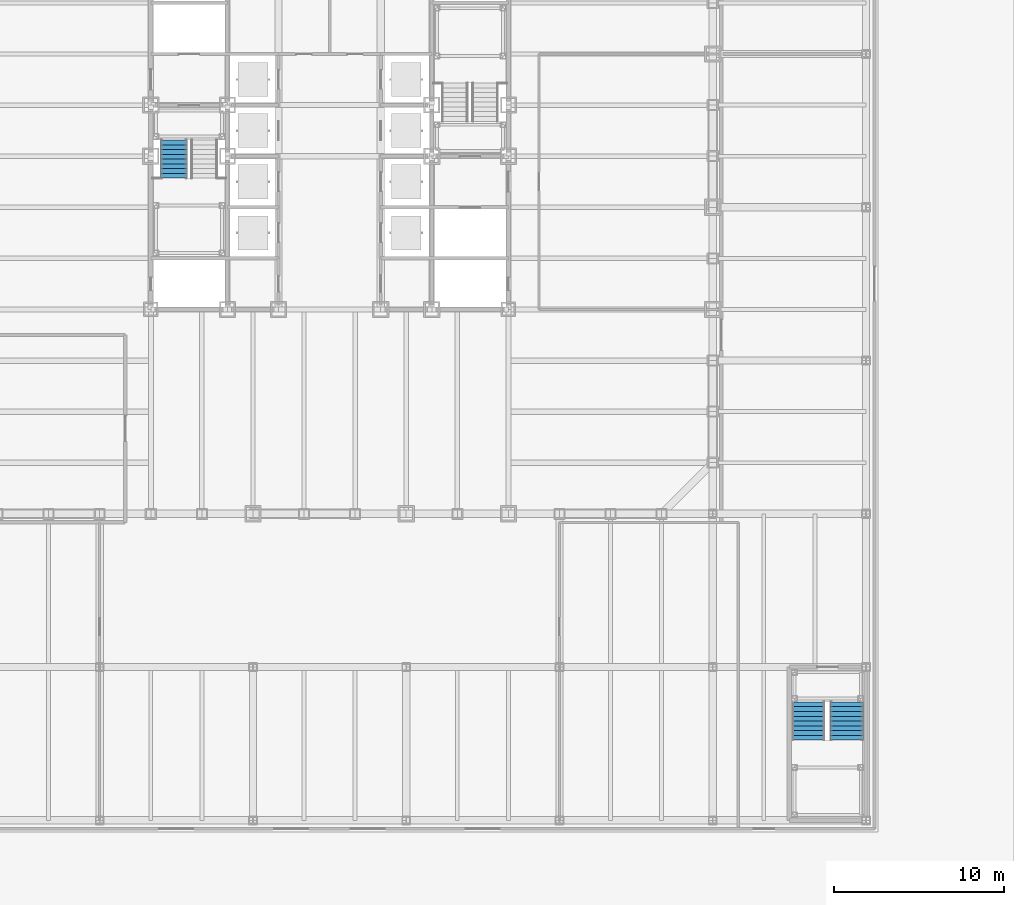
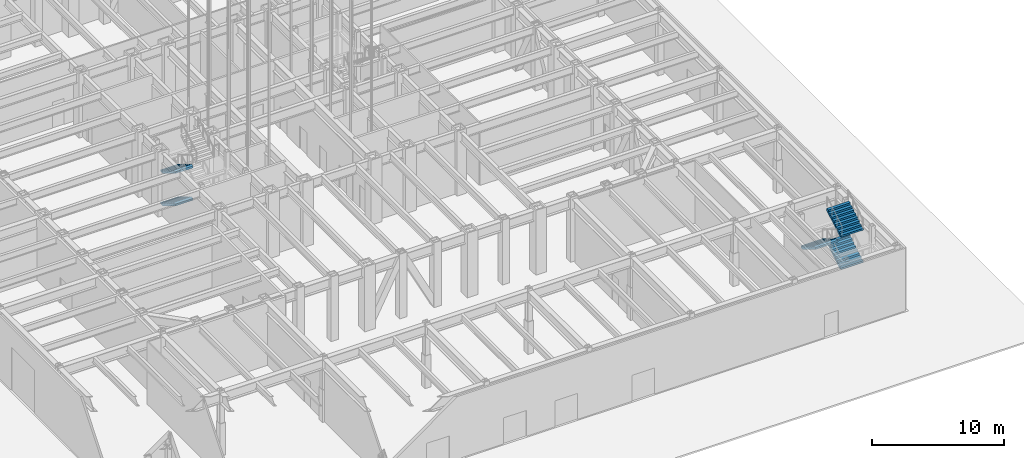
# One storey, part 12 of 35: 5 stair flights, 2 elements without a shape of their own.
"""IFC4 building model written with IfcOpenShell, lengths in metres."""

from ifc_helpers import new_model, si_unit, direction, frame, origin, place, context, subcontext, project, spatial, faceted_brep, material, type_object, element, aggregate, save


model = new_model("IFC4")

# Units and contexts
model_context = context("Model", 3, precision=1e-05, world=origin(), true_north=direction((0.0, 1.0)))
body_context = subcontext(model_context, "Body", "Model", "MODEL_VIEW")
ifc_project = project(units=[si_unit("LENGTHUNIT", "METRE"), si_unit("AREAUNIT", "SQUARE_METRE"), si_unit("VOLUMEUNIT", "CUBIC_METRE"), si_unit("PLANEANGLEUNIT", "RADIAN"), si_unit("MASSUNIT", "GRAM", prefix="KILO")], contexts=[model_context])

# Site, building, storey
site_placement = place(None, origin())
site = spatial("IfcSite", under=ifc_project, at=site_placement, CompositionType="ELEMENT")
building_placement = place(site_placement, origin())
building = spatial("IfcBuilding", under=site, at=building_placement, Name="Chuquiago Exchange Tower", CompositionType="ELEMENT")
storey_placement = place(building_placement, origin())
storey = spatial("IfcBuildingStorey", under=building, at=storey_placement, Name="L00", CompositionType="ELEMENT", Elevation=0.0)

# Stair, stair flights
ifc_material_1 = material(Name="Concrete C30/37, precast", Category="concrete")
stair_type_1 = type_object("IfcStairType", Name="ST1 double half-turn stair 6000", PredefinedType="DOUBLE_RETURN_STAIR", material=ifc_material_1)
stair_1_placement = place(storey_placement, origin())
stair_1 = element("IfcStair", 1, at=stair_1_placement, inside=storey, type_object=stair_type_1, Name="Stair ST1 L00", PredefinedType="DOUBLE_RETURN_STAIR")
ifc_material_2 = material(Name="Concrete C30/37, precast", Category="concrete")
stair_flight_type_1 = type_object("IfcStairFlightType", Name="ST-F flight 1570 for 6000 storey", PredefinedType="STRAIGHT", material=ifc_material_2)
stair_flight_1_placement = place(storey_placement, frame((13.360107421875, 21.949951171875, 0.0), z_axis=(0.0, 0.0, 1.0), x_axis=(0.0, -1.0, 0.0)))
stair_flight_1 = element("IfcStairFlight", 2, at=stair_flight_1_placement, type_object=stair_flight_type_1, Name="ST1 flight 1", NumberOfRisers=9, NumberOfTreads=8, PredefinedType="STRAIGHT", RiserHeight=0.166666667, TreadLength=0.28, context=body_context, shape_type="Brep", body=[
    faceted_brep([(0.0, 0.78515625, 0.0), (0.0, 0.78515625, 0.166748046875), (0.280029296875, 0.78515625, 0.166748046875), (0.280029296875, 0.78515625, 0.333251953125), (0.56005859375, 0.78515625, 0.333251953125), (0.56005859375, 0.78515625, 0.5), (0.840087890625, 0.78515625, 0.5), (0.840087890625, 0.78515625, 0.666748046875), (1.1201171875, 0.78515625, 0.666748046875), (1.1201171875, 0.78515625, 0.833251953125), (1.39990234375, 0.78515625, 0.833251953125), (1.39990234375, 0.78515625, 1.0), (1.679931640625, 0.78515625, 1.0), (1.679931640625, 0.78515625, 1.166748046875), (1.9599609375, 0.78515625, 1.166748046875), (1.9599609375, 0.78515625, 1.333251953125), (2.239990234375, 0.78515625, 1.333251953125), (2.239990234375, 0.78515625, 1.158935546875), (0.29296875, 0.78515625, 0.0), (0.29296875, -0.78515625, 0.0), (2.239990234375, -0.78515625, 1.158935546875), (2.239990234375, -0.78515625, 1.333251953125), (1.9599609375, -0.78515625, 1.333251953125), (1.9599609375, -0.78515625, 1.166748046875), (1.679931640625, -0.78515625, 1.166748046875), (1.679931640625, -0.78515625, 1.0), (1.39990234375, -0.78515625, 1.0), (1.39990234375, -0.78515625, 0.833251953125), (1.1201171875, -0.78515625, 0.833251953125), (1.1201171875, -0.78515625, 0.666748046875), (0.840087890625, -0.78515625, 0.666748046875), (0.840087890625, -0.78515625, 0.5), (0.56005859375, -0.78515625, 0.5), (0.56005859375, -0.78515625, 0.333251953125), (0.280029296875, -0.78515625, 0.333251953125), (0.280029296875, -0.78515625, 0.166748046875), (0.0, -0.78515625, 0.166748046875), (0.0, -0.78515625, 0.0), (0.0, 0.392578125, 0.0), (0.0, 0.392578125, 0.166748046875), (0.0, 0.0, 0.0), (0.0, 0.0, 0.166748046875), (0.0, -0.392578125, 0.0), (0.0, -0.392578125, 0.166748046875), (0.280029296875, 0.392578125, 0.166748046875), (0.280029296875, 0.0, 0.166748046875), (0.280029296875, -0.392578125, 0.166748046875), (0.280029296875, 0.392578125, 0.333251953125), (0.280029296875, 0.0, 0.333251953125), (0.280029296875, -0.392578125, 0.333251953125), (0.56005859375, 0.392578125, 0.333251953125), (0.56005859375, 0.0, 0.333251953125), (0.56005859375, -0.392578125, 0.333251953125), (0.56005859375, 0.392578125, 0.5), (0.56005859375, 0.0, 0.5), (0.56005859375, -0.392578125, 0.5), (0.840087890625, 0.392578125, 0.5), (0.840087890625, 0.0, 0.5), (0.840087890625, -0.392578125, 0.5), (0.840087890625, 0.392578125, 0.666748046875), (0.840087890625, 0.0, 0.666748046875), (0.840087890625, -0.392578125, 0.666748046875), (1.1201171875, 0.392578125, 0.666748046875), (1.1201171875, 0.0, 0.666748046875), (1.1201171875, -0.392578125, 0.666748046875), (1.1201171875, 0.392578125, 0.833251953125), (1.1201171875, 0.0, 0.833251953125), (1.1201171875, -0.392578125, 0.833251953125), (1.39990234375, 0.392578125, 0.833251953125), (1.39990234375, 0.0, 0.833251953125), (1.39990234375, -0.392578125, 0.833251953125), (1.39990234375, 0.392578125, 1.0), (1.39990234375, 0.0, 1.0), (1.39990234375, -0.392578125, 1.0), (1.679931640625, 0.392578125, 1.0), (1.679931640625, 0.0, 1.0), (1.679931640625, -0.392578125, 1.0), (1.679931640625, 0.392578125, 1.166748046875), (1.679931640625, 0.0, 1.166748046875), (1.679931640625, -0.392578125, 1.166748046875), (1.9599609375, 0.392578125, 1.166748046875), (1.9599609375, 0.0, 1.166748046875), (1.9599609375, -0.392578125, 1.166748046875), (1.9599609375, 0.392578125, 1.333251953125), (1.9599609375, 0.0, 1.333251953125), (1.9599609375, -0.392578125, 1.333251953125), (2.239990234375, 0.392578125, 1.333251953125), (2.239990234375, 0.0, 1.333251953125), (2.239990234375, -0.392578125, 1.333251953125), (2.239990234375, 0.392578125, 1.158935546875), (2.239990234375, 0.0, 1.158935546875), (2.239990234375, -0.392578125, 1.158935546875), (0.29296875, 0.392578125, 0.0), (0.29296875, 0.0, 0.0), (0.29296875, -0.392578125, 0.0)], [[[0, 1, 2, 3, 4, 5, 6, 7, 8, 9, 10, 11, 12, 13, 14, 15, 16, 17, 18]], [[19, 20, 21, 22, 23, 24, 25, 26, 27, 28, 29, 30, 31, 32, 33, 34, 35, 36, 37]], [[1, 0, 38, 39]], [[39, 38, 40, 41]], [[41, 40, 42, 43]], [[43, 42, 37, 36]], [[2, 1, 39, 44]], [[44, 39, 41, 45]], [[45, 41, 43, 46]], [[46, 43, 36, 35]], [[3, 2, 44, 47]], [[47, 44, 45, 48]], [[48, 45, 46, 49]], [[49, 46, 35, 34]], [[4, 3, 47, 50]], [[50, 47, 48, 51]], [[51, 48, 49, 52]], [[52, 49, 34, 33]], [[5, 4, 50, 53]], [[53, 50, 51, 54]], [[54, 51, 52, 55]], [[55, 52, 33, 32]], [[6, 5, 53, 56]], [[56, 53, 54, 57]], [[57, 54, 55, 58]], [[58, 55, 32, 31]], [[7, 6, 56, 59]], [[59, 56, 57, 60]], [[60, 57, 58, 61]], [[61, 58, 31, 30]], [[8, 7, 59, 62]], [[62, 59, 60, 63]], [[63, 60, 61, 64]], [[64, 61, 30, 29]], [[9, 8, 62, 65]], [[65, 62, 63, 66]], [[66, 63, 64, 67]], [[67, 64, 29, 28]], [[10, 9, 65, 68]], [[68, 65, 66, 69]], [[69, 66, 67, 70]], [[70, 67, 28, 27]], [[11, 10, 68, 71]], [[71, 68, 69, 72]], [[72, 69, 70, 73]], [[73, 70, 27, 26]], [[12, 11, 71, 74]], [[74, 71, 72, 75]], [[75, 72, 73, 76]], [[76, 73, 26, 25]], [[13, 12, 74, 77]], [[77, 74, 75, 78]], [[78, 75, 76, 79]], [[79, 76, 25, 24]], [[14, 13, 77, 80]], [[80, 77, 78, 81]], [[81, 78, 79, 82]], [[82, 79, 24, 23]], [[15, 14, 80, 83]], [[83, 80, 81, 84]], [[84, 81, 82, 85]], [[85, 82, 23, 22]], [[16, 15, 83, 86]], [[86, 83, 84, 87]], [[87, 84, 85, 88]], [[88, 85, 22, 21]], [[17, 16, 86, 89]], [[89, 86, 87, 90]], [[90, 87, 88, 91]], [[91, 88, 21, 20]], [[18, 17, 89, 92]], [[92, 89, 90, 93]], [[93, 90, 91, 94]], [[94, 91, 20, 19]], [[0, 18, 92, 38]], [[38, 92, 93, 40]], [[40, 93, 94, 42]], [[42, 94, 19, 37]]]),
])
stair_flight_2_placement = place(storey_placement, frame((13.360107421875, 21.949951171875, 3.0), z_axis=(0.0, 0.0, 1.0), x_axis=(0.0, -1.0, 0.0)))
stair_flight_2 = element("IfcStairFlight", 3, at=stair_flight_2_placement, type_object=stair_flight_type_1, Name="ST1 flight 3", NumberOfRisers=9, NumberOfTreads=8, PredefinedType="STRAIGHT", RiserHeight=0.166666667, TreadLength=0.28, context=body_context, shape_type="Brep", body=[
    faceted_brep([(0.0, 0.78515625, 0.0), (0.0, 0.78515625, 0.166748046875), (0.280029296875, 0.78515625, 0.166748046875), (0.280029296875, 0.78515625, 0.333251953125), (0.56005859375, 0.78515625, 0.333251953125), (0.56005859375, 0.78515625, 0.5), (0.840087890625, 0.78515625, 0.5), (0.840087890625, 0.78515625, 0.666748046875), (1.1201171875, 0.78515625, 0.666748046875), (1.1201171875, 0.78515625, 0.833251953125), (1.39990234375, 0.78515625, 0.833251953125), (1.39990234375, 0.78515625, 1.0), (1.679931640625, 0.78515625, 1.0), (1.679931640625, 0.78515625, 1.166748046875), (1.9599609375, 0.78515625, 1.166748046875), (1.9599609375, 0.78515625, 1.333251953125), (2.239990234375, 0.78515625, 1.333251953125), (2.239990234375, 0.78515625, 1.158935546875), (0.29296875, 0.78515625, 0.0), (0.29296875, -0.78515625, 0.0), (2.239990234375, -0.78515625, 1.158935546875), (2.239990234375, -0.78515625, 1.333251953125), (1.9599609375, -0.78515625, 1.333251953125), (1.9599609375, -0.78515625, 1.166748046875), (1.679931640625, -0.78515625, 1.166748046875), (1.679931640625, -0.78515625, 1.0), (1.39990234375, -0.78515625, 1.0), (1.39990234375, -0.78515625, 0.833251953125), (1.1201171875, -0.78515625, 0.833251953125), (1.1201171875, -0.78515625, 0.666748046875), (0.840087890625, -0.78515625, 0.666748046875), (0.840087890625, -0.78515625, 0.5), (0.56005859375, -0.78515625, 0.5), (0.56005859375, -0.78515625, 0.333251953125), (0.280029296875, -0.78515625, 0.333251953125), (0.280029296875, -0.78515625, 0.166748046875), (0.0, -0.78515625, 0.166748046875), (0.0, -0.78515625, 0.0), (0.0, 0.392578125, 0.0), (0.0, 0.392578125, 0.166748046875), (0.0, 0.0, 0.0), (0.0, 0.0, 0.166748046875), (0.0, -0.392578125, 0.0), (0.0, -0.392578125, 0.166748046875), (0.280029296875, 0.392578125, 0.166748046875), (0.280029296875, 0.0, 0.166748046875), (0.280029296875, -0.392578125, 0.166748046875), (0.280029296875, 0.392578125, 0.333251953125), (0.280029296875, 0.0, 0.333251953125), (0.280029296875, -0.392578125, 0.333251953125), (0.56005859375, 0.392578125, 0.333251953125), (0.56005859375, 0.0, 0.333251953125), (0.56005859375, -0.392578125, 0.333251953125), (0.56005859375, 0.392578125, 0.5), (0.56005859375, 0.0, 0.5), (0.56005859375, -0.392578125, 0.5), (0.840087890625, 0.392578125, 0.5), (0.840087890625, 0.0, 0.5), (0.840087890625, -0.392578125, 0.5), (0.840087890625, 0.392578125, 0.666748046875), (0.840087890625, 0.0, 0.666748046875), (0.840087890625, -0.392578125, 0.666748046875), (1.1201171875, 0.392578125, 0.666748046875), (1.1201171875, 0.0, 0.666748046875), (1.1201171875, -0.392578125, 0.666748046875), (1.1201171875, 0.392578125, 0.833251953125), (1.1201171875, 0.0, 0.833251953125), (1.1201171875, -0.392578125, 0.833251953125), (1.39990234375, 0.392578125, 0.833251953125), (1.39990234375, 0.0, 0.833251953125), (1.39990234375, -0.392578125, 0.833251953125), (1.39990234375, 0.392578125, 1.0), (1.39990234375, 0.0, 1.0), (1.39990234375, -0.392578125, 1.0), (1.679931640625, 0.392578125, 1.0), (1.679931640625, 0.0, 1.0), (1.679931640625, -0.392578125, 1.0), (1.679931640625, 0.392578125, 1.166748046875), (1.679931640625, 0.0, 1.166748046875), (1.679931640625, -0.392578125, 1.166748046875), (1.9599609375, 0.392578125, 1.166748046875), (1.9599609375, 0.0, 1.166748046875), (1.9599609375, -0.392578125, 1.166748046875), (1.9599609375, 0.392578125, 1.333251953125), (1.9599609375, 0.0, 1.333251953125), (1.9599609375, -0.392578125, 1.333251953125), (2.239990234375, 0.392578125, 1.333251953125), (2.239990234375, 0.0, 1.333251953125), (2.239990234375, -0.392578125, 1.333251953125), (2.239990234375, 0.392578125, 1.158935546875), (2.239990234375, 0.0, 1.158935546875), (2.239990234375, -0.392578125, 1.158935546875), (0.29296875, 0.392578125, 0.0), (0.29296875, 0.0, 0.0), (0.29296875, -0.392578125, 0.0)], [[[0, 1, 2, 3, 4, 5, 6, 7, 8, 9, 10, 11, 12, 13, 14, 15, 16, 17, 18]], [[19, 20, 21, 22, 23, 24, 25, 26, 27, 28, 29, 30, 31, 32, 33, 34, 35, 36, 37]], [[1, 0, 38, 39]], [[39, 38, 40, 41]], [[41, 40, 42, 43]], [[43, 42, 37, 36]], [[2, 1, 39, 44]], [[44, 39, 41, 45]], [[45, 41, 43, 46]], [[46, 43, 36, 35]], [[3, 2, 44, 47]], [[47, 44, 45, 48]], [[48, 45, 46, 49]], [[49, 46, 35, 34]], [[4, 3, 47, 50]], [[50, 47, 48, 51]], [[51, 48, 49, 52]], [[52, 49, 34, 33]], [[5, 4, 50, 53]], [[53, 50, 51, 54]], [[54, 51, 52, 55]], [[55, 52, 33, 32]], [[6, 5, 53, 56]], [[56, 53, 54, 57]], [[57, 54, 55, 58]], [[58, 55, 32, 31]], [[7, 6, 56, 59]], [[59, 56, 57, 60]], [[60, 57, 58, 61]], [[61, 58, 31, 30]], [[8, 7, 59, 62]], [[62, 59, 60, 63]], [[63, 60, 61, 64]], [[64, 61, 30, 29]], [[9, 8, 62, 65]], [[65, 62, 63, 66]], [[66, 63, 64, 67]], [[67, 64, 29, 28]], [[10, 9, 65, 68]], [[68, 65, 66, 69]], [[69, 66, 67, 70]], [[70, 67, 28, 27]], [[11, 10, 68, 71]], [[71, 68, 69, 72]], [[72, 69, 70, 73]], [[73, 70, 27, 26]], [[12, 11, 71, 74]], [[74, 71, 72, 75]], [[75, 72, 73, 76]], [[76, 73, 26, 25]], [[13, 12, 74, 77]], [[77, 74, 75, 78]], [[78, 75, 76, 79]], [[79, 76, 25, 24]], [[14, 13, 77, 80]], [[80, 77, 78, 81]], [[81, 78, 79, 82]], [[82, 79, 24, 23]], [[15, 14, 80, 83]], [[83, 80, 81, 84]], [[84, 81, 82, 85]], [[85, 82, 23, 22]], [[16, 15, 83, 86]], [[86, 83, 84, 87]], [[87, 84, 85, 88]], [[88, 85, 22, 21]], [[17, 16, 86, 89]], [[89, 86, 87, 90]], [[90, 87, 88, 91]], [[91, 88, 21, 20]], [[18, 17, 89, 92]], [[92, 89, 90, 93]], [[93, 90, 91, 94]], [[94, 91, 20, 19]], [[0, 18, 92, 38]], [[38, 92, 93, 40]], [[40, 93, 94, 42]], [[42, 94, 19, 37]]]),
])
aggregate(stair_1, [stair_flight_1, stair_flight_2])

ifc_material_3 = material(Name="Concrete C30/37, precast", Category="concrete")
stair_type_2 = type_object("IfcStairType", Name="PS2 double half-turn stair 6000", PredefinedType="DOUBLE_RETURN_STAIR", material=ifc_material_3)
stair_2_placement = place(storey_placement, origin())
stair_2 = element("IfcStair", 4, at=stair_2_placement, inside=storey, type_object=stair_type_2, Name="Stair PS2 L00", PredefinedType="DOUBLE_RETURN_STAIR")
ifc_material_4 = material(Name="Concrete C30/37, precast", Category="concrete")
stair_flight_type_2 = type_object("IfcStairFlightType", Name="ST-F flight 1950 for 6000 storey", PredefinedType="STRAIGHT", material=ifc_material_4)
stair_flight_3_placement = place(storey_placement, frame((52.875, -13.2900390625, 1.5), z_axis=(0.0, 0.0, 1.0), x_axis=(0.0, 1.0, 0.0)))
stair_flight_3 = element("IfcStairFlight", 5, at=stair_flight_3_placement, type_object=stair_flight_type_2, Name="PS2 flight 2", NumberOfRisers=9, NumberOfTreads=8, PredefinedType="STRAIGHT", RiserHeight=0.166666667, TreadLength=0.28, context=body_context, shape_type="Brep", body=[
    faceted_brep([(0.0, 0.97509765625, 0.0), (0.0, 0.97509765625, 0.166748046875), (0.280029296875, 0.97509765625, 0.166748046875), (0.280029296875, 0.97509765625, 0.333251953125), (0.56005859375, 0.97509765625, 0.333251953125), (0.56005859375, 0.97509765625, 0.5), (0.840087890625, 0.97509765625, 0.5), (0.840087890625, 0.97509765625, 0.666748046875), (1.1201171875, 0.97509765625, 0.666748046875), (1.1201171875, 0.97509765625, 0.833251953125), (1.39990234375, 0.97509765625, 0.833251953125), (1.39990234375, 0.97509765625, 1.0), (1.679931640625, 0.97509765625, 1.0), (1.679931640625, 0.97509765625, 1.166748046875), (1.9599609375, 0.97509765625, 1.166748046875), (1.9599609375, 0.97509765625, 1.333251953125), (2.239990234375, 0.97509765625, 1.333251953125), (2.239990234375, 0.97509765625, 1.158935546875), (0.29296875, 0.97509765625, 0.0), (0.29296875, -0.97509765625, 0.0), (2.239990234375, -0.97509765625, 1.158935546875), (2.239990234375, -0.97509765625, 1.333251953125), (1.9599609375, -0.97509765625, 1.333251953125), (1.9599609375, -0.97509765625, 1.166748046875), (1.679931640625, -0.97509765625, 1.166748046875), (1.679931640625, -0.97509765625, 1.0), (1.39990234375, -0.97509765625, 1.0), (1.39990234375, -0.97509765625, 0.833251953125), (1.1201171875, -0.97509765625, 0.833251953125), (1.1201171875, -0.97509765625, 0.666748046875), (0.840087890625, -0.97509765625, 0.666748046875), (0.840087890625, -0.97509765625, 0.5), (0.56005859375, -0.97509765625, 0.5), (0.56005859375, -0.97509765625, 0.333251953125), (0.280029296875, -0.97509765625, 0.333251953125), (0.280029296875, -0.97509765625, 0.166748046875), (0.0, -0.97509765625, 0.166748046875), (0.0, -0.97509765625, 0.0), (0.0, 0.487548828125, 0.0), (0.0, 0.487548828125, 0.166748046875), (0.0, 0.0, 0.0), (0.0, 0.0, 0.166748046875), (0.0, -0.487548828125, 0.0), (0.0, -0.487548828125, 0.166748046875), (0.280029296875, 0.487548828125, 0.166748046875), (0.280029296875, 0.0, 0.166748046875), (0.280029296875, -0.487548828125, 0.166748046875), (0.280029296875, 0.487548828125, 0.333251953125), (0.280029296875, 0.0, 0.333251953125), (0.280029296875, -0.487548828125, 0.333251953125), (0.56005859375, 0.487548828125, 0.333251953125), (0.56005859375, 0.0, 0.333251953125), (0.56005859375, -0.487548828125, 0.333251953125), (0.56005859375, 0.487548828125, 0.5), (0.56005859375, 0.0, 0.5), (0.56005859375, -0.487548828125, 0.5), (0.840087890625, 0.487548828125, 0.5), (0.840087890625, 0.0, 0.5), (0.840087890625, -0.487548828125, 0.5), (0.840087890625, 0.487548828125, 0.666748046875), (0.840087890625, 0.0, 0.666748046875), (0.840087890625, -0.487548828125, 0.666748046875), (1.1201171875, 0.487548828125, 0.666748046875), (1.1201171875, 0.0, 0.666748046875), (1.1201171875, -0.487548828125, 0.666748046875), (1.1201171875, 0.487548828125, 0.833251953125), (1.1201171875, 0.0, 0.833251953125), (1.1201171875, -0.487548828125, 0.833251953125), (1.39990234375, 0.487548828125, 0.833251953125), (1.39990234375, 0.0, 0.833251953125), (1.39990234375, -0.487548828125, 0.833251953125), (1.39990234375, 0.487548828125, 1.0), (1.39990234375, 0.0, 1.0), (1.39990234375, -0.487548828125, 1.0), (1.679931640625, 0.487548828125, 1.0), (1.679931640625, 0.0, 1.0), (1.679931640625, -0.487548828125, 1.0), (1.679931640625, 0.487548828125, 1.166748046875), (1.679931640625, 0.0, 1.166748046875), (1.679931640625, -0.487548828125, 1.166748046875), (1.9599609375, 0.487548828125, 1.166748046875), (1.9599609375, 0.0, 1.166748046875), (1.9599609375, -0.487548828125, 1.166748046875), (1.9599609375, 0.487548828125, 1.333251953125), (1.9599609375, 0.0, 1.333251953125), (1.9599609375, -0.487548828125, 1.333251953125), (2.239990234375, 0.487548828125, 1.333251953125), (2.239990234375, 0.0, 1.333251953125), (2.239990234375, -0.487548828125, 1.333251953125), (2.239990234375, 0.487548828125, 1.158935546875), (2.239990234375, 0.0, 1.158935546875), (2.239990234375, -0.487548828125, 1.158935546875), (0.29296875, 0.487548828125, 0.0), (0.29296875, 0.0, 0.0), (0.29296875, -0.487548828125, 0.0)], [[[0, 1, 2, 3, 4, 5, 6, 7, 8, 9, 10, 11, 12, 13, 14, 15, 16, 17, 18]], [[19, 20, 21, 22, 23, 24, 25, 26, 27, 28, 29, 30, 31, 32, 33, 34, 35, 36, 37]], [[1, 0, 38, 39]], [[39, 38, 40, 41]], [[41, 40, 42, 43]], [[43, 42, 37, 36]], [[2, 1, 39, 44]], [[44, 39, 41, 45]], [[45, 41, 43, 46]], [[46, 43, 36, 35]], [[3, 2, 44, 47]], [[47, 44, 45, 48]], [[48, 45, 46, 49]], [[49, 46, 35, 34]], [[4, 3, 47, 50]], [[50, 47, 48, 51]], [[51, 48, 49, 52]], [[52, 49, 34, 33]], [[5, 4, 50, 53]], [[53, 50, 51, 54]], [[54, 51, 52, 55]], [[55, 52, 33, 32]], [[6, 5, 53, 56]], [[56, 53, 54, 57]], [[57, 54, 55, 58]], [[58, 55, 32, 31]], [[7, 6, 56, 59]], [[59, 56, 57, 60]], [[60, 57, 58, 61]], [[61, 58, 31, 30]], [[8, 7, 59, 62]], [[62, 59, 60, 63]], [[63, 60, 61, 64]], [[64, 61, 30, 29]], [[9, 8, 62, 65]], [[65, 62, 63, 66]], [[66, 63, 64, 67]], [[67, 64, 29, 28]], [[10, 9, 65, 68]], [[68, 65, 66, 69]], [[69, 66, 67, 70]], [[70, 67, 28, 27]], [[11, 10, 68, 71]], [[71, 68, 69, 72]], [[72, 69, 70, 73]], [[73, 70, 27, 26]], [[12, 11, 71, 74]], [[74, 71, 72, 75]], [[75, 72, 73, 76]], [[76, 73, 26, 25]], [[13, 12, 74, 77]], [[77, 74, 75, 78]], [[78, 75, 76, 79]], [[79, 76, 25, 24]], [[14, 13, 77, 80]], [[80, 77, 78, 81]], [[81, 78, 79, 82]], [[82, 79, 24, 23]], [[15, 14, 80, 83]], [[83, 80, 81, 84]], [[84, 81, 82, 85]], [[85, 82, 23, 22]], [[16, 15, 83, 86]], [[86, 83, 84, 87]], [[87, 84, 85, 88]], [[88, 85, 22, 21]], [[17, 16, 86, 89]], [[89, 86, 87, 90]], [[90, 87, 88, 91]], [[91, 88, 21, 20]], [[18, 17, 89, 92]], [[92, 89, 90, 93]], [[93, 90, 91, 94]], [[94, 91, 20, 19]], [[0, 18, 92, 38]], [[38, 92, 93, 40]], [[40, 93, 94, 42]], [[42, 94, 19, 37]]]),
])
stair_flight_4_placement = place(storey_placement, frame((50.625, -11.050048828125, 3.0), z_axis=(0.0, 0.0, 1.0), x_axis=(0.0, -1.0, 0.0)))
stair_flight_4 = element("IfcStairFlight", 6, at=stair_flight_4_placement, type_object=stair_flight_type_2, Name="PS2 flight 3", NumberOfRisers=9, NumberOfTreads=8, PredefinedType="STRAIGHT", RiserHeight=0.166666667, TreadLength=0.28, context=body_context, shape_type="Brep", body=[
    faceted_brep([(0.0, 0.97509765625, 0.0), (0.0, 0.97509765625, 0.166748046875), (0.280029296875, 0.97509765625, 0.166748046875), (0.280029296875, 0.97509765625, 0.333251953125), (0.56005859375, 0.97509765625, 0.333251953125), (0.56005859375, 0.97509765625, 0.5), (0.840087890625, 0.97509765625, 0.5), (0.840087890625, 0.97509765625, 0.666748046875), (1.1201171875, 0.97509765625, 0.666748046875), (1.1201171875, 0.97509765625, 0.833251953125), (1.39990234375, 0.97509765625, 0.833251953125), (1.39990234375, 0.97509765625, 1.0), (1.679931640625, 0.97509765625, 1.0), (1.679931640625, 0.97509765625, 1.166748046875), (1.9599609375, 0.97509765625, 1.166748046875), (1.9599609375, 0.97509765625, 1.333251953125), (2.239990234375, 0.97509765625, 1.333251953125), (2.239990234375, 0.97509765625, 1.158935546875), (0.29296875, 0.97509765625, 0.0), (0.29296875, -0.97509765625, 0.0), (2.239990234375, -0.97509765625, 1.158935546875), (2.239990234375, -0.97509765625, 1.333251953125), (1.9599609375, -0.97509765625, 1.333251953125), (1.9599609375, -0.97509765625, 1.166748046875), (1.679931640625, -0.97509765625, 1.166748046875), (1.679931640625, -0.97509765625, 1.0), (1.39990234375, -0.97509765625, 1.0), (1.39990234375, -0.97509765625, 0.833251953125), (1.1201171875, -0.97509765625, 0.833251953125), (1.1201171875, -0.97509765625, 0.666748046875), (0.840087890625, -0.97509765625, 0.666748046875), (0.840087890625, -0.97509765625, 0.5), (0.56005859375, -0.97509765625, 0.5), (0.56005859375, -0.97509765625, 0.333251953125), (0.280029296875, -0.97509765625, 0.333251953125), (0.280029296875, -0.97509765625, 0.166748046875), (0.0, -0.97509765625, 0.166748046875), (0.0, -0.97509765625, 0.0), (0.0, 0.487548828125, 0.0), (0.0, 0.487548828125, 0.166748046875), (0.0, 0.0, 0.0), (0.0, 0.0, 0.166748046875), (0.0, -0.487548828125, 0.0), (0.0, -0.487548828125, 0.166748046875), (0.280029296875, 0.487548828125, 0.166748046875), (0.280029296875, 0.0, 0.166748046875), (0.280029296875, -0.487548828125, 0.166748046875), (0.280029296875, 0.487548828125, 0.333251953125), (0.280029296875, 0.0, 0.333251953125), (0.280029296875, -0.487548828125, 0.333251953125), (0.56005859375, 0.487548828125, 0.333251953125), (0.56005859375, 0.0, 0.333251953125), (0.56005859375, -0.487548828125, 0.333251953125), (0.56005859375, 0.487548828125, 0.5), (0.56005859375, 0.0, 0.5), (0.56005859375, -0.487548828125, 0.5), (0.840087890625, 0.487548828125, 0.5), (0.840087890625, 0.0, 0.5), (0.840087890625, -0.487548828125, 0.5), (0.840087890625, 0.487548828125, 0.666748046875), (0.840087890625, 0.0, 0.666748046875), (0.840087890625, -0.487548828125, 0.666748046875), (1.1201171875, 0.487548828125, 0.666748046875), (1.1201171875, 0.0, 0.666748046875), (1.1201171875, -0.487548828125, 0.666748046875), (1.1201171875, 0.487548828125, 0.833251953125), (1.1201171875, 0.0, 0.833251953125), (1.1201171875, -0.487548828125, 0.833251953125), (1.39990234375, 0.487548828125, 0.833251953125), (1.39990234375, 0.0, 0.833251953125), (1.39990234375, -0.487548828125, 0.833251953125), (1.39990234375, 0.487548828125, 1.0), (1.39990234375, 0.0, 1.0), (1.39990234375, -0.487548828125, 1.0), (1.679931640625, 0.487548828125, 1.0), (1.679931640625, 0.0, 1.0), (1.679931640625, -0.487548828125, 1.0), (1.679931640625, 0.487548828125, 1.166748046875), (1.679931640625, 0.0, 1.166748046875), (1.679931640625, -0.487548828125, 1.166748046875), (1.9599609375, 0.487548828125, 1.166748046875), (1.9599609375, 0.0, 1.166748046875), (1.9599609375, -0.487548828125, 1.166748046875), (1.9599609375, 0.487548828125, 1.333251953125), (1.9599609375, 0.0, 1.333251953125), (1.9599609375, -0.487548828125, 1.333251953125), (2.239990234375, 0.487548828125, 1.333251953125), (2.239990234375, 0.0, 1.333251953125), (2.239990234375, -0.487548828125, 1.333251953125), (2.239990234375, 0.487548828125, 1.158935546875), (2.239990234375, 0.0, 1.158935546875), (2.239990234375, -0.487548828125, 1.158935546875), (0.29296875, 0.487548828125, 0.0), (0.29296875, 0.0, 0.0), (0.29296875, -0.487548828125, 0.0)], [[[0, 1, 2, 3, 4, 5, 6, 7, 8, 9, 10, 11, 12, 13, 14, 15, 16, 17, 18]], [[19, 20, 21, 22, 23, 24, 25, 26, 27, 28, 29, 30, 31, 32, 33, 34, 35, 36, 37]], [[1, 0, 38, 39]], [[39, 38, 40, 41]], [[41, 40, 42, 43]], [[43, 42, 37, 36]], [[2, 1, 39, 44]], [[44, 39, 41, 45]], [[45, 41, 43, 46]], [[46, 43, 36, 35]], [[3, 2, 44, 47]], [[47, 44, 45, 48]], [[48, 45, 46, 49]], [[49, 46, 35, 34]], [[4, 3, 47, 50]], [[50, 47, 48, 51]], [[51, 48, 49, 52]], [[52, 49, 34, 33]], [[5, 4, 50, 53]], [[53, 50, 51, 54]], [[54, 51, 52, 55]], [[55, 52, 33, 32]], [[6, 5, 53, 56]], [[56, 53, 54, 57]], [[57, 54, 55, 58]], [[58, 55, 32, 31]], [[7, 6, 56, 59]], [[59, 56, 57, 60]], [[60, 57, 58, 61]], [[61, 58, 31, 30]], [[8, 7, 59, 62]], [[62, 59, 60, 63]], [[63, 60, 61, 64]], [[64, 61, 30, 29]], [[9, 8, 62, 65]], [[65, 62, 63, 66]], [[66, 63, 64, 67]], [[67, 64, 29, 28]], [[10, 9, 65, 68]], [[68, 65, 66, 69]], [[69, 66, 67, 70]], [[70, 67, 28, 27]], [[11, 10, 68, 71]], [[71, 68, 69, 72]], [[72, 69, 70, 73]], [[73, 70, 27, 26]], [[12, 11, 71, 74]], [[74, 71, 72, 75]], [[75, 72, 73, 76]], [[76, 73, 26, 25]], [[13, 12, 74, 77]], [[77, 74, 75, 78]], [[78, 75, 76, 79]], [[79, 76, 25, 24]], [[14, 13, 77, 80]], [[80, 77, 78, 81]], [[81, 78, 79, 82]], [[82, 79, 24, 23]], [[15, 14, 80, 83]], [[83, 80, 81, 84]], [[84, 81, 82, 85]], [[85, 82, 23, 22]], [[16, 15, 83, 86]], [[86, 83, 84, 87]], [[87, 84, 85, 88]], [[88, 85, 22, 21]], [[17, 16, 86, 89]], [[89, 86, 87, 90]], [[90, 87, 88, 91]], [[91, 88, 21, 20]], [[18, 17, 89, 92]], [[92, 89, 90, 93]], [[93, 90, 91, 94]], [[94, 91, 20, 19]], [[0, 18, 92, 38]], [[38, 92, 93, 40]], [[40, 93, 94, 42]], [[42, 94, 19, 37]]]),
])
stair_flight_5_placement = place(storey_placement, frame((52.875, -13.2900390625, 4.5), z_axis=(0.0, 0.0, 1.0), x_axis=(0.0, 1.0, 0.0)))
stair_flight_5 = element("IfcStairFlight", 7, at=stair_flight_5_placement, type_object=stair_flight_type_2, Name="PS2 flight 4", NumberOfRisers=9, NumberOfTreads=8, PredefinedType="STRAIGHT", RiserHeight=0.166666667, TreadLength=0.28, context=body_context, shape_type="Brep", body=[
    faceted_brep([(0.0, 0.97509765625, 0.0), (0.0, 0.97509765625, 0.166748046875), (0.280029296875, 0.97509765625, 0.166748046875), (0.280029296875, 0.97509765625, 0.333251953125), (0.56005859375, 0.97509765625, 0.333251953125), (0.56005859375, 0.97509765625, 0.5), (0.840087890625, 0.97509765625, 0.5), (0.840087890625, 0.97509765625, 0.666748046875), (1.1201171875, 0.97509765625, 0.666748046875), (1.1201171875, 0.97509765625, 0.833251953125), (1.39990234375, 0.97509765625, 0.833251953125), (1.39990234375, 0.97509765625, 1.0), (1.679931640625, 0.97509765625, 1.0), (1.679931640625, 0.97509765625, 1.166748046875), (1.9599609375, 0.97509765625, 1.166748046875), (1.9599609375, 0.97509765625, 1.333251953125), (2.239990234375, 0.97509765625, 1.333251953125), (2.239990234375, 0.97509765625, 1.158935546875), (0.29296875, 0.97509765625, 0.0), (0.29296875, -0.97509765625, 0.0), (2.239990234375, -0.97509765625, 1.158935546875), (2.239990234375, -0.97509765625, 1.333251953125), (1.9599609375, -0.97509765625, 1.333251953125), (1.9599609375, -0.97509765625, 1.166748046875), (1.679931640625, -0.97509765625, 1.166748046875), (1.679931640625, -0.97509765625, 1.0), (1.39990234375, -0.97509765625, 1.0), (1.39990234375, -0.97509765625, 0.833251953125), (1.1201171875, -0.97509765625, 0.833251953125), (1.1201171875, -0.97509765625, 0.666748046875), (0.840087890625, -0.97509765625, 0.666748046875), (0.840087890625, -0.97509765625, 0.5), (0.56005859375, -0.97509765625, 0.5), (0.56005859375, -0.97509765625, 0.333251953125), (0.280029296875, -0.97509765625, 0.333251953125), (0.280029296875, -0.97509765625, 0.166748046875), (0.0, -0.97509765625, 0.166748046875), (0.0, -0.97509765625, 0.0), (0.0, 0.487548828125, 0.0), (0.0, 0.487548828125, 0.166748046875), (0.0, 0.0, 0.0), (0.0, 0.0, 0.166748046875), (0.0, -0.487548828125, 0.0), (0.0, -0.487548828125, 0.166748046875), (0.280029296875, 0.487548828125, 0.166748046875), (0.280029296875, 0.0, 0.166748046875), (0.280029296875, -0.487548828125, 0.166748046875), (0.280029296875, 0.487548828125, 0.333251953125), (0.280029296875, 0.0, 0.333251953125), (0.280029296875, -0.487548828125, 0.333251953125), (0.56005859375, 0.487548828125, 0.333251953125), (0.56005859375, 0.0, 0.333251953125), (0.56005859375, -0.487548828125, 0.333251953125), (0.56005859375, 0.487548828125, 0.5), (0.56005859375, 0.0, 0.5), (0.56005859375, -0.487548828125, 0.5), (0.840087890625, 0.487548828125, 0.5), (0.840087890625, 0.0, 0.5), (0.840087890625, -0.487548828125, 0.5), (0.840087890625, 0.487548828125, 0.666748046875), (0.840087890625, 0.0, 0.666748046875), (0.840087890625, -0.487548828125, 0.666748046875), (1.1201171875, 0.487548828125, 0.666748046875), (1.1201171875, 0.0, 0.666748046875), (1.1201171875, -0.487548828125, 0.666748046875), (1.1201171875, 0.487548828125, 0.833251953125), (1.1201171875, 0.0, 0.833251953125), (1.1201171875, -0.487548828125, 0.833251953125), (1.39990234375, 0.487548828125, 0.833251953125), (1.39990234375, 0.0, 0.833251953125), (1.39990234375, -0.487548828125, 0.833251953125), (1.39990234375, 0.487548828125, 1.0), (1.39990234375, 0.0, 1.0), (1.39990234375, -0.487548828125, 1.0), (1.679931640625, 0.487548828125, 1.0), (1.679931640625, 0.0, 1.0), (1.679931640625, -0.487548828125, 1.0), (1.679931640625, 0.487548828125, 1.166748046875), (1.679931640625, 0.0, 1.166748046875), (1.679931640625, -0.487548828125, 1.166748046875), (1.9599609375, 0.487548828125, 1.166748046875), (1.9599609375, 0.0, 1.166748046875), (1.9599609375, -0.487548828125, 1.166748046875), (1.9599609375, 0.487548828125, 1.333251953125), (1.9599609375, 0.0, 1.333251953125), (1.9599609375, -0.487548828125, 1.333251953125), (2.239990234375, 0.487548828125, 1.333251953125), (2.239990234375, 0.0, 1.333251953125), (2.239990234375, -0.487548828125, 1.333251953125), (2.239990234375, 0.487548828125, 1.158935546875), (2.239990234375, 0.0, 1.158935546875), (2.239990234375, -0.487548828125, 1.158935546875), (0.29296875, 0.487548828125, 0.0), (0.29296875, 0.0, 0.0), (0.29296875, -0.487548828125, 0.0)], [[[0, 1, 2, 3, 4, 5, 6, 7, 8, 9, 10, 11, 12, 13, 14, 15, 16, 17, 18]], [[19, 20, 21, 22, 23, 24, 25, 26, 27, 28, 29, 30, 31, 32, 33, 34, 35, 36, 37]], [[1, 0, 38, 39]], [[39, 38, 40, 41]], [[41, 40, 42, 43]], [[43, 42, 37, 36]], [[2, 1, 39, 44]], [[44, 39, 41, 45]], [[45, 41, 43, 46]], [[46, 43, 36, 35]], [[3, 2, 44, 47]], [[47, 44, 45, 48]], [[48, 45, 46, 49]], [[49, 46, 35, 34]], [[4, 3, 47, 50]], [[50, 47, 48, 51]], [[51, 48, 49, 52]], [[52, 49, 34, 33]], [[5, 4, 50, 53]], [[53, 50, 51, 54]], [[54, 51, 52, 55]], [[55, 52, 33, 32]], [[6, 5, 53, 56]], [[56, 53, 54, 57]], [[57, 54, 55, 58]], [[58, 55, 32, 31]], [[7, 6, 56, 59]], [[59, 56, 57, 60]], [[60, 57, 58, 61]], [[61, 58, 31, 30]], [[8, 7, 59, 62]], [[62, 59, 60, 63]], [[63, 60, 61, 64]], [[64, 61, 30, 29]], [[9, 8, 62, 65]], [[65, 62, 63, 66]], [[66, 63, 64, 67]], [[67, 64, 29, 28]], [[10, 9, 65, 68]], [[68, 65, 66, 69]], [[69, 66, 67, 70]], [[70, 67, 28, 27]], [[11, 10, 68, 71]], [[71, 68, 69, 72]], [[72, 69, 70, 73]], [[73, 70, 27, 26]], [[12, 11, 71, 74]], [[74, 71, 72, 75]], [[75, 72, 73, 76]], [[76, 73, 26, 25]], [[13, 12, 74, 77]], [[77, 74, 75, 78]], [[78, 75, 76, 79]], [[79, 76, 25, 24]], [[14, 13, 77, 80]], [[80, 77, 78, 81]], [[81, 78, 79, 82]], [[82, 79, 24, 23]], [[15, 14, 80, 83]], [[83, 80, 81, 84]], [[84, 81, 82, 85]], [[85, 82, 23, 22]], [[16, 15, 83, 86]], [[86, 83, 84, 87]], [[87, 84, 85, 88]], [[88, 85, 22, 21]], [[17, 16, 86, 89]], [[89, 86, 87, 90]], [[90, 87, 88, 91]], [[91, 88, 21, 20]], [[18, 17, 89, 92]], [[92, 89, 90, 93]], [[93, 90, 91, 94]], [[94, 91, 20, 19]], [[0, 18, 92, 38]], [[38, 92, 93, 40]], [[40, 93, 94, 42]], [[42, 94, 19, 37]]]),
])
aggregate(stair_2, [stair_flight_3, stair_flight_4, stair_flight_5])

save(model, "model.ifc")
